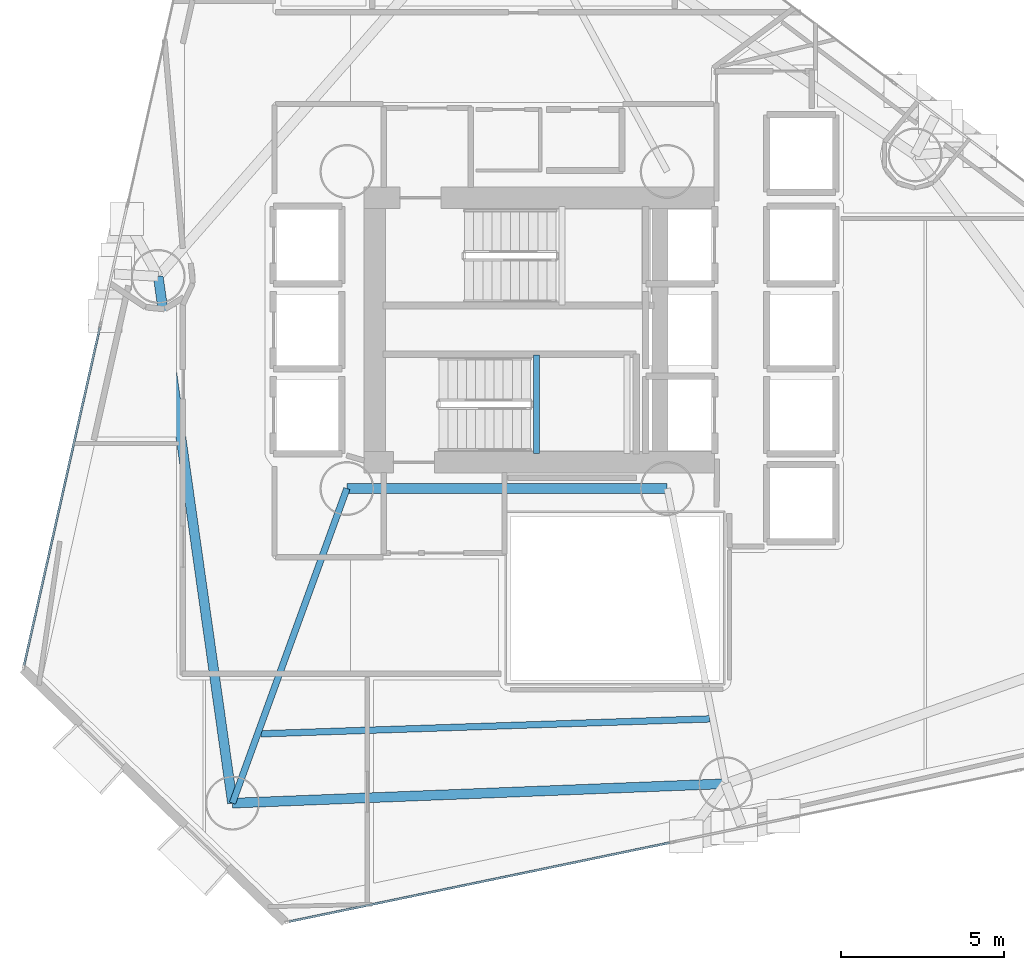
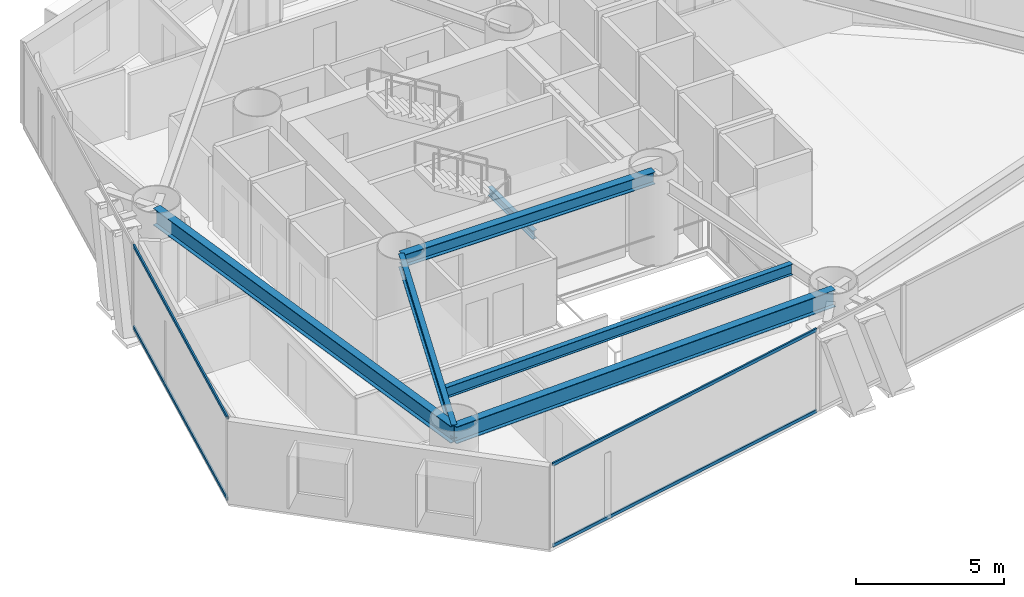
# One storey, part 3 of 22: 6 beams, 4 members, 2 elements without a shape of their own.
"""IFC4 building model written with IfcOpenShell, lengths in metres."""

from ifc_helpers import new_model, si_unit, direction, frame, origin, origin_2d, place, context, subcontext, project, spatial, hollow_rectangle, i_section, extrude, material, layer, layer_set, material_profile, profile_set, type_object, element, aggregate, save


model = new_model("IFC4")

# Units and contexts
model_context = context("Model", 3, precision=1e-05, world=origin(), true_north=direction((0.0, 1.0)))
body_context = subcontext(model_context, "Body", "Model", "MODEL_VIEW")
ifc_project = project(units=[si_unit("LENGTHUNIT", "METRE"), si_unit("AREAUNIT", "SQUARE_METRE"), si_unit("VOLUMEUNIT", "CUBIC_METRE"), si_unit("PLANEANGLEUNIT", "RADIAN"), si_unit("MASSUNIT", "GRAM", prefix="KILO")], contexts=[model_context])

# Site, building, storey
site_placement = place(None, origin())
site = spatial("IfcSite", under=ifc_project, at=site_placement, CompositionType="ELEMENT")
building_placement = place(site_placement, origin())
building = spatial("IfcBuilding", under=site, at=building_placement, Name="Qianvela Tower", CompositionType="ELEMENT")
storey_placement = place(building_placement, frame((0.0, 0.0, 89.5)))
storey = spatial("IfcBuildingStorey", under=building, at=storey_placement, Name="L22", CompositionType="ELEMENT", Elevation=89.5)

# Beams
ifc_material_1 = material(Name="Steel Q355B", Category="steel")
ifc_material_profile_1 = material_profile(ifc_material_1, i_section(OverallWidth=0.300048828125, OverallDepth=0.5, WebThickness=0.010986328125, FlangeThickness=0.01806640625, at=origin_2d()), Name="HM500x300x11x18")
ifc_profile_set_1 = profile_set([ifc_material_profile_1], Name="Steel Q355B")
beam_type_1 = type_object("IfcBeamType", Name="BM-HM500-COLL", PredefinedType="BEAM", material=ifc_profile_set_1)
beam_1_placement = place(storey_placement, frame((28.60009765625, 23.85009765625, 3.14794921875), z_axis=(1.0, 0.0, 0.0), x_axis=(0.0, 1.0, 0.0)))
element("IfcBeam", 1, at=beam_1_placement, inside=storey, type_object=beam_type_1, Name="L22 Core Ring Collector Girder CC1", PredefinedType="BEAM", context=body_context, shape_type="SweptSolid", body=[
    extrude(i_section(OverallWidth=0.300048828125, OverallDepth=0.5, WebThickness=0.010986328125, FlangeThickness=0.01806640625, at=origin_2d()), origin(), (0.0, 0.0, 1.0), 9.7998046875),
])
ifc_material_2 = material(Name="Steel Q355B", Category="steel")
ifc_material_profile_2 = material_profile(ifc_material_2, i_section(OverallWidth=0.175048828125, OverallDepth=0.35009765625, WebThickness=0.007080078125, FlangeThickness=0.010986328125, at=origin_2d()), Name="HN350x175x7x11")
ifc_profile_set_2 = profile_set([ifc_material_profile_2], Name="Steel Q355B")
beam_type_2 = type_object("IfcBeamType", Name="BM-HN350-JOIST", PredefinedType="JOIST", material=ifc_profile_set_2)
beam_2_placement = place(storey_placement, frame((34.39990234375, 24.919921875, 1.47509765625), z_axis=(0.0, 1.0, 0.0), x_axis=(-1.0, 0.0, 0.0)))
element("IfcBeam", 2, at=beam_2_placement, inside=storey, type_object=beam_type_2, Name="L22 Stair ST-2 Landing Support Beam 1.1", PredefinedType="JOIST", context=body_context, shape_type="SweptSolid", body=[
    extrude(i_section(OverallWidth=0.175048828125, OverallDepth=0.35009765625, WebThickness=0.007080078125, FlangeThickness=0.010986328125, at=origin_2d()), origin(), (0.0, 0.0, 1.0), 3.02001953125),
])
ifc_material_3 = material(Name="Steel Q355B", Category="steel")
ifc_material_profile_3 = material_profile(ifc_material_3, i_section(OverallWidth=0.199951171875, OverallDepth=0.449951171875, WebThickness=0.009033203125, FlangeThickness=0.013916015625, at=origin_2d()), Name="HN450x200x9x14")
ifc_profile_set_3 = profile_set([ifc_material_profile_3], Name="Steel Q355B")
beam_type_3 = type_object("IfcBeamType", Name="BM-HN450-JOIST", PredefinedType="JOIST", material=ifc_profile_set_3)
beam_3_placement = place(storey_placement, frame((25.9658203125, 16.345703125, 3.173095703125), z_axis=(0.999447329793, 0.033242066273, 0.0), x_axis=(-0.033242066273, 0.999447329793, 0.0)))
element("IfcBeam", 3, at=beam_3_placement, inside=storey, type_object=beam_type_3, Name="L22 Secondary Composite Floor Joist 5.3", PredefinedType="JOIST", context=body_context, shape_type="SweptSolid", body=[
    extrude(i_section(OverallWidth=0.199951171875, OverallDepth=0.449951171875, WebThickness=0.009033203125, FlangeThickness=0.013916015625, at=origin_2d()), origin(), (0.0, 0.0, 1.0), 13.7412109375),
])
ifc_material_4 = material(Name="Steel Q355B", Category="steel")
ifc_material_profile_4 = material_profile(ifc_material_4, i_section(OverallWidth=0.199951171875, OverallDepth=0.550048828125, WebThickness=0.010009765625, FlangeThickness=0.01611328125, at=origin_2d()), Name="HN550x200x10x16")
ifc_profile_set_4 = profile_set([ifc_material_profile_4], Name="Steel Q355B")
beam_type_4 = type_object("IfcBeamType", Name="BM-HN550-GIRD", PredefinedType="BEAM", material=ifc_profile_set_4)
beam_4_placement = place(storey_placement, frame((28.60009765625, 23.85009765625, 3.123046875), z_axis=(-0.341743063087, -0.939793423488, 0.0), x_axis=(0.939793423488, -0.341743063087, 0.0)))
element("IfcBeam", 4, at=beam_4_placement, inside=storey, type_object=beam_type_4, Name="L22 Radial Primary Floor Girder 5", PredefinedType="BEAM", context=body_context, shape_type="SweptSolid", body=[
    extrude(i_section(OverallWidth=0.199951171875, OverallDepth=0.550048828125, WebThickness=0.010009765625, FlangeThickness=0.01611328125, at=origin_2d()), origin(), (0.0, 0.0, 1.0), 10.24169921875),
])
ifc_material_5 = material(Name="Steel Q355B", Category="steel")
ifc_material_profile_5 = material_profile(ifc_material_5, i_section(OverallWidth=0.300048828125, OverallDepth=0.699951171875, WebThickness=0.012939453125, FlangeThickness=0.02392578125, at=origin_2d()), Name="HN700x300x13x24")
ifc_profile_set_5 = profile_set([ifc_material_profile_5], Name="Steel Q355B")
beam_type_5 = type_object("IfcBeamType", Name="BM-HN700-SPAND", PredefinedType="SPANDREL", material=ifc_profile_set_5)
beam_5_placement = place(storey_placement, frame((22.8291015625, 30.340087890625, 3.048095703125), z_axis=(0.139545592864, -0.990215646974, 0.0), x_axis=(0.990215646974, 0.139545592864, 0.0)))
element("IfcBeam", 5, at=beam_5_placement, inside=storey, type_object=beam_type_5, Name="L22 Perimeter Ring Spandrel Girder 4", PredefinedType="SPANDREL", context=body_context, shape_type="SweptSolid", body=[
    extrude(i_section(OverallWidth=0.300048828125, OverallDepth=0.699951171875, WebThickness=0.012939453125, FlangeThickness=0.02392578125, at=origin_2d()), origin(), (0.0, 0.0, 1.0), 16.274169921875),
])
beam_6_placement = place(storey_placement, frame((25.10009765625, 14.22509765625, 3.048095703125), z_axis=(0.999226043345, 0.039335916178, 0.0), x_axis=(-0.039335916178, 0.999226043345, 0.0)))
element("IfcBeam", 6, at=beam_6_placement, inside=storey, type_object=beam_type_5, Name="L22 Perimeter Ring Spandrel Girder 5", PredefinedType="SPANDREL", context=body_context, shape_type="SweptSolid", body=[
    extrude(i_section(OverallWidth=0.300048828125, OverallDepth=0.699951171875, WebThickness=0.012939453125, FlangeThickness=0.02392578125, at=origin_2d()), origin(), (0.0, 0.0, 1.0), 15.1005859375),
])

# Curtain wall, members
ifc_material_6 = material(Name="Anodised Architectural Aluminium and Low-E Glass", Category="aluminium")
ifc_layer = layer(ifc_material_6, 0.179931640625)
ifc_layer_set = layer_set([ifc_layer], Name="Anodised Architectural Aluminium and Low-E Glass")
curtain_wall_type = type_object("IfcCurtainWallType", Name="CW-COLIV-Z12", PredefinedType="USERDEFINED", material=ifc_layer_set)
curtain_wall_1_placement = place(storey_placement, origin())
curtain_wall_1 = element("IfcCurtainWall", 7, at=curtain_wall_1_placement, inside=storey, type_object=curtain_wall_type, Name="L22 CW-COLIV-Z12 Curtain Wall 04C", ObjectType="CURTAIN_WALL_SYSTEM", PredefinedType="USERDEFINED")
ifc_material_7 = material(Name="Anodised Architectural Aluminium 6063-T6", Category="aluminium")
ifc_material_profile_6 = material_profile(ifc_material_7, hollow_rectangle(XDim=0.06494140625, YDim=0.1298828125, WallThickness=0.00439453125, at=origin_2d()), Name="ALU-TRAN-65x130")
ifc_profile_set_6 = profile_set([ifc_material_profile_6], Name="Anodised Architectural Aluminium 6063-T6")
member_type = type_object("IfcMemberType", Name="CW-COLIV-Z12-TRAN", PredefinedType="USERDEFINED", material=ifc_profile_set_6)
member_1_placement = place(storey_placement, frame((21.041015625, 28.774169921875, 0.032470703125), z_axis=(-0.218814392679, -0.975766499505, 0.0), x_axis=(0.975766499505, -0.218814392679, 0.0)))
member_1 = element("IfcMember", 8, at=member_1_placement, type_object=member_type, Name="CW-3 transom 1.1", ObjectType="TRANSOM", PredefinedType="USERDEFINED", context=body_context, shape_type="SweptSolid", body=[
    extrude(hollow_rectangle(XDim=0.06494140625, YDim=0.1298828125, WallThickness=0.00439453125, at=origin_2d()), origin(), (0.0, 0.0, 1.0), 10.590576171875),
])
member_2_placement = place(storey_placement, frame((21.041015625, 28.774169921875, 3.367431640625), z_axis=(-0.218814392679, -0.975766499505, 0.0), x_axis=(0.975766499505, -0.218814392679, 0.0)))
member_2 = element("IfcMember", 9, at=member_2_placement, type_object=member_type, Name="CW-3 transom 1.2", ObjectType="TRANSOM", PredefinedType="USERDEFINED", context=body_context, shape_type="SweptSolid", body=[
    extrude(hollow_rectangle(XDim=0.06494140625, YDim=0.1298828125, WallThickness=0.00439453125, at=origin_2d()), origin(), (0.0, 0.0, 1.0), 10.590576171875),
])
aggregate(curtain_wall_1, [member_1, member_2])

curtain_wall_2_placement = place(storey_placement, origin())
curtain_wall_2 = element("IfcCurtainWall", 10, at=curtain_wall_2_placement, inside=storey, type_object=curtain_wall_type, Name="L22 CW-COLIV-Z12 Curtain Wall 06A", ObjectType="CURTAIN_WALL_SYSTEM", PredefinedType="USERDEFINED")
member_3_placement = place(storey_placement, frame((26.829833984375, 10.600830078125, 0.032470703125), z_axis=(0.979177102354, 0.203007887104, 0.0), x_axis=(-0.203007887104, 0.979177102354, 0.0)))
member_3 = element("IfcMember", 11, at=member_3_placement, type_object=member_type, Name="CW-3 transom 1.1", ObjectType="TRANSOM", PredefinedType="USERDEFINED", context=body_context, shape_type="SweptSolid", body=[
    extrude(hollow_rectangle(XDim=0.06494140625, YDim=0.1298828125, WallThickness=0.00439453125, at=origin_2d()), origin(), (0.0, 0.0, 1.0), 11.89990234375),
])
member_4_placement = place(storey_placement, frame((26.829833984375, 10.600830078125, 3.367431640625), z_axis=(0.979177102354, 0.203007887104, 0.0), x_axis=(-0.203007887104, 0.979177102354, 0.0)))
member_4 = element("IfcMember", 12, at=member_4_placement, type_object=member_type, Name="CW-3 transom 1.2", ObjectType="TRANSOM", PredefinedType="USERDEFINED", context=body_context, shape_type="SweptSolid", body=[
    extrude(hollow_rectangle(XDim=0.06494140625, YDim=0.1298828125, WallThickness=0.00439453125, at=origin_2d()), origin(), (0.0, 0.0, 1.0), 11.89990234375),
])
aggregate(curtain_wall_2, [member_3, member_4])

save(model, "model.ifc")
